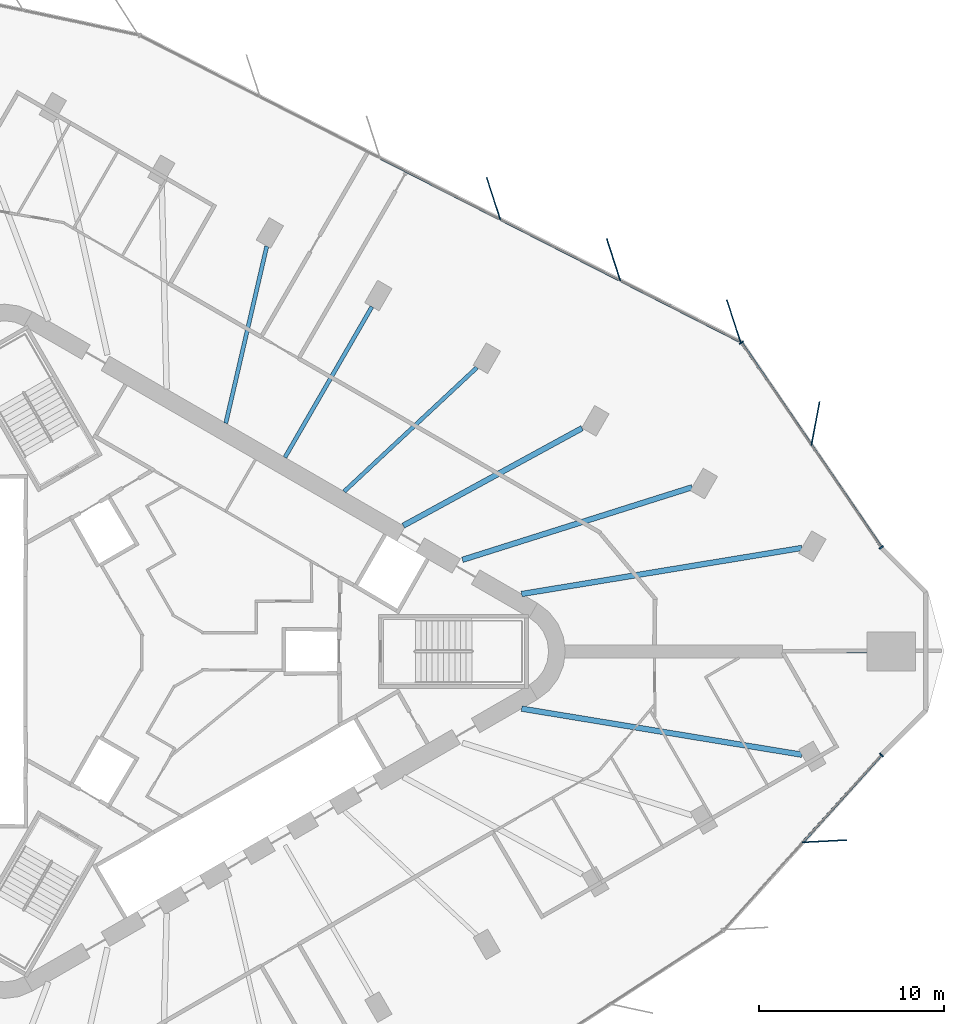
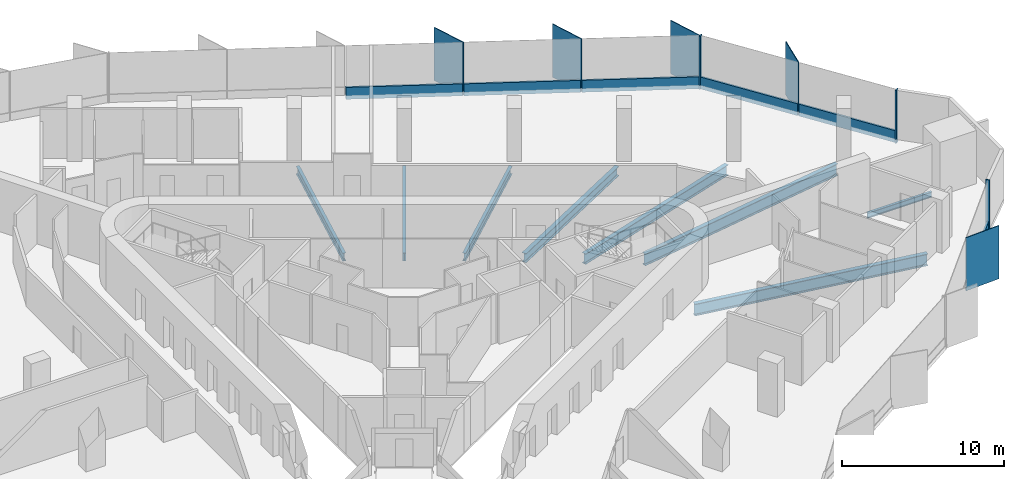
# One storey, part 5 of 14: 14 members, 8 beams, 3 elements without a shape of their own.
"""IFC4 building model written with IfcOpenShell, lengths in metres."""

from ifc_helpers import new_model, si_unit, direction, frame, origin, origin_2d, place, context, subcontext, project, spatial, rectangle, i_section, extrude, material, material_profile, profile_set, type_object, element, aggregate, save


model = new_model("IFC4")

# Units and contexts
model_context = context("Model", 3, precision=1e-05, world=origin(), true_north=direction((0.0, 1.0)))
body_context = subcontext(model_context, "Body", "Model", "MODEL_VIEW")
ifc_project = project(units=[si_unit("LENGTHUNIT", "METRE"), si_unit("AREAUNIT", "SQUARE_METRE"), si_unit("VOLUMEUNIT", "CUBIC_METRE"), si_unit("PLANEANGLEUNIT", "RADIAN"), si_unit("MASSUNIT", "GRAM", prefix="KILO")], contexts=[model_context])

# Site, building, storey
site_placement = place(None, origin())
site = spatial("IfcSite", under=ifc_project, at=site_placement, CompositionType="ELEMENT")
building_placement = place(site_placement, origin())
building = spatial("IfcBuilding", under=site, at=building_placement, Name="Tanit Gate Tower", CompositionType="ELEMENT")
storey_placement = place(building_placement, frame((0.0, 0.0, 213.199951171875)))
storey = spatial("IfcBuildingStorey", under=building, at=storey_placement, Name="L47", CompositionType="ELEMENT", Elevation=213.199951171875)

# Curtain wall, member
ifc_material_1 = material(Name="Aluminium bronze anodised and glass", Category="aluminium")
curtain_wall_type = type_object("IfcCurtainWallType", Name="Curtain wall typical mid", PredefinedType="NOTDEFINED", material=ifc_material_1)
curtain_wall_1_placement = place(storey_placement, origin())
curtain_wall_1 = element("IfcCurtainWall", 1, at=curtain_wall_1_placement, inside=storey, type_object=curtain_wall_type, Name="Curtain wall L47 NE1", PredefinedType="NOTDEFINED")
ifc_material_2 = material(Name="Aluminium bronze anodised", Category="aluminium")
ifc_material_profile_1 = material_profile(ifc_material_2, rectangle(XDim=2.39990234375, YDim=0.055908203125, at=origin_2d()), Name="56x2400 bronze fin mullion")
ifc_profile_set_1 = profile_set([ifc_material_profile_1], Name="Aluminium bronze anodised")
member_type_1 = type_object("IfcMemberType", Name="FIN MULLION 56x2400 bronze", PredefinedType="MULLION", material=ifc_profile_set_1)
member_1_placement = place(storey_placement, frame((34.7177734375, 12.304931640625, -0.300048828125), z_axis=(0.0, 0.0, 1.0), x_axis=(-0.185010170887, -0.982736605947, 0.0)))
member_1 = element("IfcMember", 2, at=member_1_placement, type_object=member_type_1, Name="Fin mullion L47 NE1.2", PredefinedType="MULLION", context=body_context, shape_type="SweptSolid", body=[
    extrude(rectangle(XDim=2.39990234375, YDim=0.055908203125, at=origin_2d()), origin(), (0.0, 0.0, 1.0), 4.0),
])

# Curtain wall, members
curtain_wall_2_placement = place(storey_placement, origin())
curtain_wall_2 = element("IfcCurtainWall", 3, at=curtain_wall_2_placement, inside=storey, type_object=curtain_wall_type, Name="Curtain wall L47 NE2", PredefinedType="NOTDEFINED")
member_2_placement = place(storey_placement, frame((30.298095703125, 17.8515625, -0.300048828125), z_axis=(0.0, 0.0, 1.0), x_axis=(0.308699841109, -0.95115950718, 0.0)))
member_2 = element("IfcMember", 4, at=member_2_placement, type_object=member_type_1, Name="Fin mullion L47 NE2.1", PredefinedType="MULLION", context=body_context, shape_type="SweptSolid", body=[
    extrude(rectangle(XDim=2.39990234375, YDim=0.055908203125, at=origin_2d()), origin(), (0.0, 0.0, 1.0), 4.0),
])
member_3_placement = place(storey_placement, frame((23.807373046875, 21.161376953125, -0.300048828125), z_axis=(0.0, 0.0, 1.0), x_axis=(0.308699841109, -0.95115950718, 0.0)))
member_3 = element("IfcMember", 5, at=member_3_placement, type_object=member_type_1, Name="Fin mullion L47 NE2.2", PredefinedType="MULLION", context=body_context, shape_type="SweptSolid", body=[
    extrude(rectangle(XDim=2.39990234375, YDim=0.055908203125, at=origin_2d()), origin(), (0.0, 0.0, 1.0), 4.0),
])
member_4_placement = place(storey_placement, frame((17.316650390625, 24.47119140625, -0.300048828125), z_axis=(0.0, 0.0, 1.0), x_axis=(0.308699841109, -0.95115950718, 0.0)))
member_4 = element("IfcMember", 6, at=member_4_placement, type_object=member_type_1, Name="Fin mullion L47 NE2.3", PredefinedType="MULLION", context=body_context, shape_type="SweptSolid", body=[
    extrude(rectangle(XDim=2.39990234375, YDim=0.055908203125, at=origin_2d()), origin(), (0.0, 0.0, 1.0), 4.0),
])

# Curtain wall, member
curtain_wall_3_placement = place(storey_placement, origin())
curtain_wall_3 = element("IfcCurtainWall", 7, at=curtain_wall_3_placement, inside=storey, type_object=curtain_wall_type, Name="Curtain wall L47 SE3", PredefinedType="NOTDEFINED")
member_5_placement = place(storey_placement, frame((35.2060546875, -10.260009765625, -0.300048828125), z_axis=(0.0, 0.0, 1.0), x_axis=(-0.998662240178, -0.051708123563, 0.0)))
member_5 = element("IfcMember", 8, at=member_5_placement, type_object=member_type_1, Name="Fin mullion L47 SE3.2", PredefinedType="MULLION", context=body_context, shape_type="SweptSolid", body=[
    extrude(rectangle(XDim=2.39990234375, YDim=0.055908203125, at=origin_2d()), origin(), (0.0, 0.0, 1.0), 4.0),
])

# Member
ifc_material_3 = material(Name="Aluminium bronze anodised", Category="aluminium")
ifc_material_profile_2 = material_profile(ifc_material_3, rectangle(XDim=0.260009765625, YDim=0.080078125, at=origin_2d()), Name="80x260 bronze mullion")
ifc_profile_set_2 = profile_set([ifc_material_profile_2], Name="Aluminium bronze anodised")
member_type_2 = type_object("IfcMemberType", Name="Mullion 80x260 typical mid", PredefinedType="MULLION", material=ifc_profile_set_2)
member_6_placement = place(storey_placement, frame((38.279296875, 5.61376953125, -0.300048828125), z_axis=(0.0, 0.0, 1.0), x_axis=(-0.825721664608, -0.564077771762, 0.0)))
member_6 = element("IfcMember", 9, at=member_6_placement, type_object=member_type_2, Name="Mullion L47 NE1.1", PredefinedType="MULLION", context=body_context, shape_type="SweptSolid", body=[
    extrude(rectangle(XDim=0.260009765625, YDim=0.080078125, at=origin_2d()), origin(), (0.0, 0.0, 1.0), 4.0),
])

member_7_placement = place(storey_placement, frame((30.719970703125, 16.67919921875, -0.300048828125), z_axis=(0.0, 0.0, 1.0), x_axis=(-0.825721664608, -0.564077771762, 0.0)))
member_7 = element("IfcMember", 10, at=member_7_placement, type_object=member_type_2, Name="Mullion L47 NE1.3", PredefinedType="MULLION", context=body_context, shape_type="SweptSolid", body=[
    extrude(rectangle(XDim=0.260009765625, YDim=0.080078125, at=origin_2d()), origin(), (0.0, 0.0, 1.0), 4.0),
])

member_8_placement = place(storey_placement, frame((38.28076171875, -5.604736328125, -0.300048828125), z_axis=(0.0, 0.0, 1.0), x_axis=(-0.742724006959, 0.669597677331, 0.0)))
member_8 = element("IfcMember", 11, at=member_8_placement, type_object=member_type_2, Name="Mullion L47 SE3.3", PredefinedType="MULLION", context=body_context, shape_type="SweptSolid", body=[
    extrude(rectangle(XDim=0.260009765625, YDim=0.080078125, at=origin_2d()), origin(), (0.0, 0.0, 1.0), 4.0),
])

# Beams
ifc_material_4 = material(Name="Steel S355", Category="steel")
ifc_material_profile_3 = material_profile(ifc_material_4, i_section(OverallWidth=0.300048828125, OverallDepth=0.68994140625, WebThickness=0.014404296875, FlangeThickness=0.027099609375, FilletRadius=0.027099609375, at=origin_2d()), Name="HEA 700")
ifc_profile_set_3 = profile_set([ifc_material_profile_3], Name="Steel S355")
beam_type_1 = type_object("IfcBeamType", Name="RADIAL GIRDER HEA 700 S355", PredefinedType="BEAM", material=ifc_profile_set_3)
beam_1_placement = place(storey_placement, frame((22.1064453125, 12.059326171875, -0.64501953125), z_axis=(-0.877879464436, -0.478881661709, 0.0), x_axis=(0.478881661709, -0.877879464436, 0.0)))
element("IfcBeam", 12, at=beam_1_placement, inside=storey, type_object=beam_type_1, Name="RADIAL GIRDER", PredefinedType="BEAM", context=body_context, shape_type="SweptSolid", body=[
    extrude(i_section(OverallWidth=0.300048828125, OverallDepth=0.68994140625, WebThickness=0.014404296875, FlangeThickness=0.027099609375, FilletRadius=0.027099609375, at=origin_2d()), origin(), (0.0, 0.0, 1.0), 11.00537109375),
])
ifc_material_5 = material(Name="Steel S355", Category="steel")
ifc_material_profile_4 = material_profile(ifc_material_5, i_section(OverallWidth=0.300048828125, OverallDepth=0.7900390625, WebThickness=0.014892578125, FlangeThickness=0.028076171875, FilletRadius=0.030029296875, at=origin_2d()), Name="HEA 800")
ifc_profile_set_4 = profile_set([ifc_material_profile_4], Name="Steel S355")
beam_type_2 = type_object("IfcBeamType", Name="RADIAL GIRDER HEA 800 S355", PredefinedType="BEAM", material=ifc_profile_set_4)
beam_2_placement = place(storey_placement, frame((28.054443359375, 8.86572265625, -0.695068359375), z_axis=(-0.953523689029, -0.301318061957, 0.0), x_axis=(0.301318061957, -0.953523689029, 0.0)))
element("IfcBeam", 13, at=beam_2_placement, inside=storey, type_object=beam_type_2, Name="RADIAL GIRDER", PredefinedType="BEAM", context=body_context, shape_type="SweptSolid", body=[
    extrude(i_section(OverallWidth=0.300048828125, OverallDepth=0.7900390625, WebThickness=0.014892578125, FlangeThickness=0.028076171875, FilletRadius=0.030029296875, at=origin_2d()), origin(), (0.0, 0.0, 1.0), 13.017333984375),
])
ifc_material_6 = material(Name="Steel S355", Category="steel")
ifc_material_profile_5 = material_profile(ifc_material_6, i_section(OverallWidth=0.300048828125, OverallDepth=0.889892578125, WebThickness=0.01611328125, FlangeThickness=0.030029296875, FilletRadius=0.030029296875, at=origin_2d()), Name="HEA 900")
ifc_profile_set_5 = profile_set([ifc_material_profile_5], Name="Steel S355")
beam_type_3 = type_object("IfcBeamType", Name="RADIAL GIRDER HEA 900 S355", PredefinedType="BEAM", material=ifc_profile_set_5)
for number, where, z_axis, x_axis, name in (
    (14, (33.979736328125, -5.5869140625, -0.744873046875), (-0.986750224089, 0.162246711091, 0.0), (-0.162246711091, -0.986750224089, 0.0), "RADIAL GIRDER"),
    (15, (33.979736328125, 5.5869140625, -0.744873046875), (-0.986750224089, -0.162246711091, 0.0), (0.162246711091, -0.986750224089, 0.0), "RADIAL GIRDER"),
):
    element("IfcBeam", number, at=place(storey_placement, frame(where, z_axis=z_axis, x_axis=x_axis)), inside=storey, type_object=beam_type_3, Name=name, PredefinedType="BEAM", context=body_context, shape_type="SweptSolid", body=[
        extrude(i_section(OverallWidth=0.300048828125, OverallDepth=0.889892578125, WebThickness=0.01611328125, FlangeThickness=0.030029296875, FilletRadius=0.030029296875, at=origin_2d()), origin(), (0.0, 0.0, 1.0), 15.343994140625),
    ])
ifc_material_7 = material(Name="Steel S355", Category="steel")
ifc_material_profile_6 = material_profile(ifc_material_7, i_section(OverallWidth=0.179931640625, OverallDepth=0.39990234375, WebThickness=0.008544921875, FlangeThickness=0.013427734375, FilletRadius=0.02099609375, at=origin_2d()), Name="IPE 400")
ifc_profile_set_6 = profile_set([ifc_material_profile_6], Name="Steel S355")
beam_type_4 = type_object("IfcBeamType", Name="RADIAL GIRDER IPE 400 S355", PredefinedType="BEAM", material=ifc_profile_set_6)
beam_3_placement = place(storey_placement, frame((37.510986328125, 0.0, -0.5), z_axis=(-1.0, 0.0, 0.0), x_axis=(0.0, -1.0, 0.0)))
element("IfcBeam", 16, at=beam_3_placement, inside=storey, type_object=beam_type_4, Name="RADIAL GIRDER", PredefinedType="BEAM", context=body_context, shape_type="SweptSolid", body=[
    extrude(i_section(OverallWidth=0.179931640625, OverallDepth=0.39990234375, WebThickness=0.008544921875, FlangeThickness=0.013427734375, FilletRadius=0.02099609375, at=origin_2d()), origin(), (0.0, 0.0, 1.0), 4.567138671875),
])
ifc_material_8 = material(Name="Steel S355", Category="steel")
ifc_material_profile_7 = material_profile(ifc_material_8, i_section(OverallWidth=0.219970703125, OverallDepth=0.60009765625, WebThickness=0.011962890625, FlangeThickness=0.01904296875, FilletRadius=0.02392578125, at=origin_2d()), Name="IPE 600")
ifc_profile_set_7 = profile_set([ifc_material_profile_7], Name="Steel S355")
beam_type_5 = type_object("IfcBeamType", Name="RADIAL GIRDER IPE 600 S355", PredefinedType="BEAM", material=ifc_profile_set_7)
beam_4_placement = place(storey_placement, frame((16.427490234375, 15.338134765625, -0.599853515625), z_axis=(-0.730925486912, -0.68245727528, 0.0), x_axis=(0.68245727528, -0.730925486912, 0.0)))
element("IfcBeam", 17, at=beam_4_placement, inside=storey, type_object=beam_type_5, Name="RADIAL GIRDER", PredefinedType="BEAM", context=body_context, shape_type="SweptSolid", body=[
    extrude(i_section(OverallWidth=0.219970703125, OverallDepth=0.60009765625, WebThickness=0.011962890625, FlangeThickness=0.01904296875, FilletRadius=0.02392578125, at=origin_2d()), origin(), (0.0, 0.0, 1.0), 9.822509765625),
])
beam_5_placement = place(storey_placement, frame((10.74853515625, 18.616943359375, -0.599853515625), z_axis=(-0.500004383815, -0.866022872773, 0.0), x_axis=(0.866022872773, -0.500004383815, 0.0)))
element("IfcBeam", 18, at=beam_5_placement, inside=storey, type_object=beam_type_5, Name="RADIAL GIRDER", PredefinedType="BEAM", context=body_context, shape_type="SweptSolid", body=[
    extrude(i_section(OverallWidth=0.219970703125, OverallDepth=0.60009765625, WebThickness=0.011962890625, FlangeThickness=0.01904296875, FilletRadius=0.02392578125, at=origin_2d()), origin(), (0.0, 0.0, 1.0), 9.39501953125),
])
beam_6_placement = place(storey_placement, frame((5.069580078125, 21.8955078125, -0.599853515625), z_axis=(-0.225567421981, -0.974227559732, 0.0), x_axis=(0.974227559732, -0.225567421981, 0.0)))
element("IfcBeam", 19, at=beam_6_placement, inside=storey, type_object=beam_type_5, Name="RADIAL GIRDER", PredefinedType="BEAM", context=body_context, shape_type="SweptSolid", body=[
    extrude(i_section(OverallWidth=0.219970703125, OverallDepth=0.60009765625, WebThickness=0.011962890625, FlangeThickness=0.01904296875, FilletRadius=0.02392578125, at=origin_2d()), origin(), (0.0, 0.0, 1.0), 9.822265625),
])

# Member
ifc_material_9 = material(Name="Aluminium bronze anodised", Category="aluminium")
ifc_material_profile_8 = material_profile(ifc_material_9, rectangle(XDim=0.139892578125, YDim=0.89990234375, at=origin_2d()), Name="140x900 bronze transom")
ifc_profile_set_8 = profile_set([ifc_material_profile_8], Name="Aluminium bronze anodised")
member_type_3 = type_object("IfcMemberType", Name="Transom 140x900 typical mid", PredefinedType="USERDEFINED", material=ifc_profile_set_8)
member_9_placement = place(storey_placement, frame((38.256591796875, 5.646728515625, 0.150146484375), z_axis=(-0.564076955516, 0.825722222213, 0.0), x_axis=(-0.825722222213, -0.564076955516, 0.0)))
member_9 = element("IfcMember", 20, at=member_9_placement, type_object=member_type_3, Name="Transom L47 NE1.1", ObjectType="TRANSOM", PredefinedType="USERDEFINED", context=body_context, shape_type="SweptSolid", body=[
    extrude(rectangle(XDim=0.139892578125, YDim=0.89990234375, at=origin_2d()), origin(), (0.0, 0.0, 1.0), 6.620361328125),
])

member_10_placement = place(storey_placement, frame((34.47705078125, 11.179443359375, 0.150146484375), z_axis=(-0.564059779491, 0.825733955437, 0.0), x_axis=(-0.825733955437, -0.564059779491, 0.0)))
member_10 = element("IfcMember", 21, at=member_10_placement, type_object=member_type_3, Name="Transom L47 NE1.2", ObjectType="TRANSOM", PredefinedType="USERDEFINED", context=body_context, shape_type="SweptSolid", body=[
    extrude(rectangle(XDim=0.139892578125, YDim=0.89990234375, at=origin_2d()), origin(), (0.0, 0.0, 1.0), 6.62060546875),
])

aggregate(curtain_wall_1, [member_6, member_1, member_7, member_9, member_10])

member_11_placement = place(storey_placement, frame((30.626220703125, 16.74853515625, 0.150146484375), z_axis=(-0.890862057328, 0.454273920463, 0.0), x_axis=(-0.454273920463, -0.890862057328, 0.0)))
member_11 = element("IfcMember", 22, at=member_11_placement, type_object=member_type_3, Name="Transom L47 NE2.1", ObjectType="TRANSOM", PredefinedType="USERDEFINED", context=body_context, shape_type="SweptSolid", body=[
    extrude(rectangle(XDim=0.139892578125, YDim=0.89990234375, at=origin_2d()), origin(), (0.0, 0.0, 1.0), 7.205810546875),
])

member_12_placement = place(storey_placement, frame((24.135498046875, 20.058349609375, 0.150146484375), z_axis=(-0.890841352882, 0.454314521005, 0.0), x_axis=(-0.454314521005, -0.890841352882, 0.0)))
member_12 = element("IfcMember", 23, at=member_12_placement, type_object=member_type_3, Name="Transom L47 NE2.2", ObjectType="TRANSOM", PredefinedType="USERDEFINED", context=body_context, shape_type="SweptSolid", body=[
    extrude(rectangle(XDim=0.139892578125, YDim=0.89990234375, at=origin_2d()), origin(), (0.0, 0.0, 1.0), 7.205810546875),
])

member_13_placement = place(storey_placement, frame((17.64501953125, 23.3681640625, 0.150146484375), z_axis=(-0.890848345725, 0.454300808847, 0.0), x_axis=(-0.454300808847, -0.890848345725, 0.0)))
member_13 = element("IfcMember", 24, at=member_13_placement, type_object=member_type_3, Name="Transom L47 NE2.3", ObjectType="TRANSOM", PredefinedType="USERDEFINED", context=body_context, shape_type="SweptSolid", body=[
    extrude(rectangle(XDim=0.139892578125, YDim=0.89990234375, at=origin_2d()), origin(), (0.0, 0.0, 1.0), 7.2060546875),
])

aggregate(curtain_wall_2, [member_2, member_3, member_4, member_11, member_12, member_13])

member_14_placement = place(storey_placement, frame((34.0556640625, -10.291259765625, 0.150146484375), z_axis=(0.669577615986, 0.742742092634, 0.0), x_axis=(-0.742742092634, 0.669577615986, 0.0)))
member_14 = element("IfcMember", 25, at=member_14_placement, type_object=member_type_3, Name="Transom L47 SE3.2", ObjectType="TRANSOM", PredefinedType="USERDEFINED", context=body_context, shape_type="SweptSolid", body=[
    extrude(rectangle(XDim=0.139892578125, YDim=0.89990234375, at=origin_2d()), origin(), (0.0, 0.0, 1.0), 6.27001953125),
])

aggregate(curtain_wall_3, [member_5, member_8, member_14])

save(model, "model.ifc")
